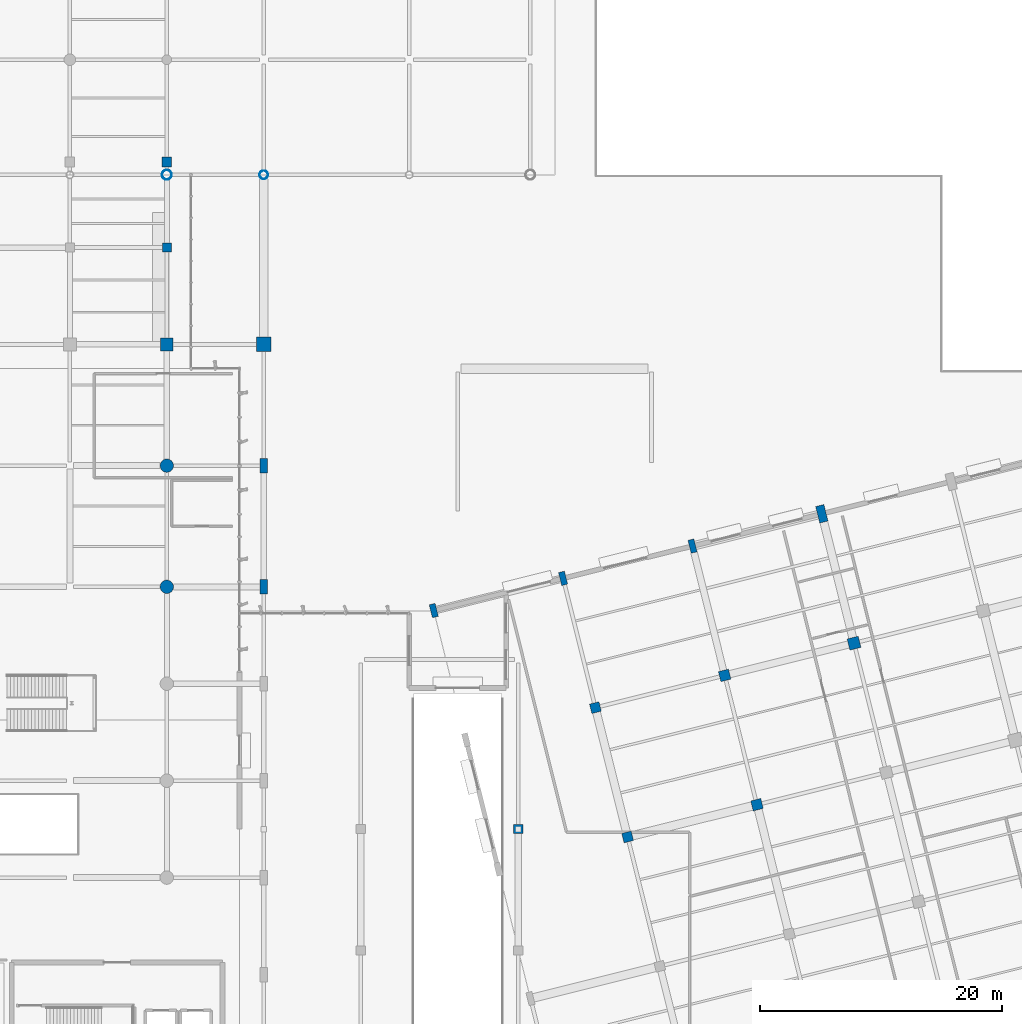
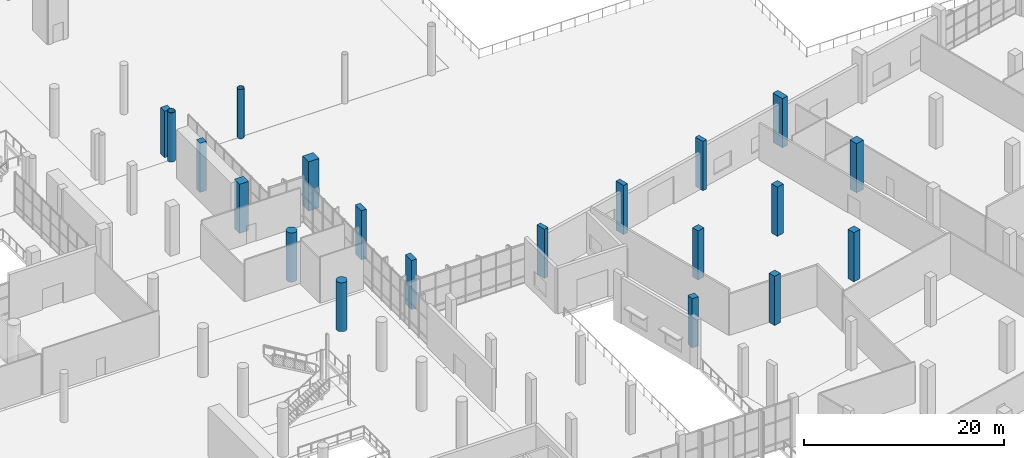
# One storey, part 19 of 163: 20 columns.
"""IFC4 building model written with IfcOpenShell, lengths in metres."""

from ifc_helpers import new_model, si_unit, direction, frame, origin, origin_2d, place, context, subcontext, project, spatial, rectangle, circle, hollow_circle, extrude, material, material_profile, profile_set, type_object, element, save


model = new_model("IFC4")

# Units and contexts
model_context = context("Model", 3, precision=1e-05, world=origin(), true_north=direction((0.0, 1.0)))
body_context = subcontext(model_context, "Body", "Model", "MODEL_VIEW")
ifc_project = project(units=[si_unit("LENGTHUNIT", "METRE"), si_unit("AREAUNIT", "SQUARE_METRE"), si_unit("VOLUMEUNIT", "CUBIC_METRE"), si_unit("PLANEANGLEUNIT", "RADIAN"), si_unit("MASSUNIT", "GRAM", prefix="KILO")], contexts=[model_context])

# Site, building, storey
site_placement = place(None, origin())
site = spatial("IfcSite", under=ifc_project, at=site_placement, CompositionType="ELEMENT")
building_placement = place(site_placement, origin())
building = spatial("IfcBuilding", under=site, at=building_placement, Name="Khorjan Park Terminus", CompositionType="ELEMENT")
storey_placement = place(building_placement, origin())
storey = spatial("IfcBuildingStorey", under=building, at=storey_placement, Name="L00", CompositionType="ELEMENT", Elevation=0.0)

# Columns
ifc_material_1 = material(Name="Concrete C50/60", Category="concrete")
ifc_material_profile_1 = material_profile(ifc_material_1, rectangle(XDim=0.5, YDim=1.1, at=origin_2d()), Name="RC 500x1100")
ifc_profile_set_1 = profile_set([ifc_material_profile_1], Name="Concrete C50/60")
column_type_1 = type_object("IfcColumnType", Name="COL-BL1100E", PredefinedType="COLUMN", material=ifc_profile_set_1)
for number, where, z_axis, x_axis, name in (
    (1, (150.033, 66.04, 0.0), (0.0, 0.0, 1.0), (0.970295726276, 0.2419218956, 0.0), "Structural column C-BL11 (L00 #684)"),
    (2, (160.706, 68.701, 0.0), (0.0, 0.0, 1.0), (0.970295726276, 0.2419218956, 0.0), "Structural column C-BL11 (L00 #717)"),
    (3, (171.38, 71.362, 0.0), (0.0, 0.0, 1.0), (0.970295726276, 0.2419218956, 0.0), "Structural column C-BL11 (L00 #746)"),
):
    element("IfcColumn", number, at=place(storey_placement, frame(where, z_axis=z_axis, x_axis=x_axis)), inside=storey, type_object=column_type_1, Name=name, PredefinedType="COLUMN", context=body_context, shape_type="SweptSolid", body=[
        extrude(rectangle(XDim=0.5, YDim=1.1, at=origin_2d()), origin(), (0.0, 0.0, 1.0), 6.0),
    ])
ifc_material_profile_2 = material_profile(ifc_material_1, rectangle(XDim=0.6, YDim=1.2, at=origin_2d()), Name="RC 600x1200")
ifc_profile_set_2 = profile_set([ifc_material_profile_2], Name="Concrete C50/60")
column_type_2 = type_object("IfcColumnType", Name="COL-BL1200", PredefinedType="COLUMN", material=ifc_profile_set_2)
for number, where, z_axis, x_axis, name in (
    (4, (136.0, 68.0, 0.0), (0.0, 0.0, 1.0), (1.0, 0.0, 0.0), "Structural column C-BL12 (L00 #492)"),
    (5, (136.0, 78.0, 0.0), (0.0, 0.0, 1.0), (1.0, 0.0, 0.0), "Structural column C-BL12 (L00 #497)"),
):
    element("IfcColumn", number, at=place(storey_placement, frame(where, z_axis=z_axis, x_axis=x_axis)), inside=storey, type_object=column_type_2, Name=name, PredefinedType="COLUMN", context=body_context, shape_type="SweptSolid", body=[
        extrude(rectangle(XDim=0.6, YDim=1.2, at=origin_2d()), origin(), (0.0, 0.0, 1.0), 6.0),
    ])
ifc_material_profile_3 = material_profile(ifc_material_1, rectangle(XDim=0.7, YDim=1.4, at=origin_2d()), Name="RC 700x1400")
ifc_profile_set_3 = profile_set([ifc_material_profile_3], Name="Concrete C50/60")
column_type_3 = type_object("IfcColumnType", Name="COL-BL1400E", PredefinedType="COLUMN", material=ifc_profile_set_3)
column_1_placement = place(storey_placement, frame((182.053, 74.023, 0.0), z_axis=(0.0, 0.0, 1.0), x_axis=(0.970295726276, 0.2419218956, 0.0)))
element("IfcColumn", 6, at=column_1_placement, inside=storey, type_object=column_type_3, Name="Structural column C-BL14 (L00 #786)", PredefinedType="COLUMN", context=body_context, shape_type="SweptSolid", body=[
    extrude(rectangle(XDim=0.7, YDim=1.4, at=origin_2d()), origin(), (0.0, 0.0, 1.0), 6.0),
])
ifc_material_profile_4 = material_profile(ifc_material_1, rectangle(XDim=1.05, YDim=1.05, at=origin_2d()), Name="RC 1050x1050")
ifc_profile_set_4 = profile_set([ifc_material_profile_4], Name="Concrete C50/60")
column_type_4 = type_object("IfcColumnType", Name="COL-RC1050", PredefinedType="COLUMN", material=ifc_profile_set_4)
column_2_placement = place(storey_placement, frame((128.0, 88.0, 0.0), z_axis=(0.0, 0.0, 1.0), x_axis=(1.0, 0.0, 0.0)))
element("IfcColumn", 7, at=column_2_placement, inside=storey, type_object=column_type_4, Name="Structural column C-RC105 (L00 #462)", PredefinedType="COLUMN", context=body_context, shape_type="SweptSolid", body=[
    extrude(rectangle(XDim=1.05, YDim=1.05, at=origin_2d()), origin(), (0.0, 0.0, 1.0), 6.0),
])
ifc_material_profile_5 = material_profile(ifc_material_1, rectangle(XDim=1.2, YDim=1.2, at=origin_2d()), Name="RC 1200x1200")
ifc_profile_set_5 = profile_set([ifc_material_profile_5], Name="Concrete C50/60")
column_type_5 = type_object("IfcColumnType", Name="COL-RC1200", PredefinedType="COLUMN", material=ifc_profile_set_5)
column_3_placement = place(storey_placement, frame((136.0, 88.0, 0.0), z_axis=(0.0, 0.0, 1.0), x_axis=(1.0, 0.0, 0.0)))
element("IfcColumn", 8, at=column_3_placement, inside=storey, type_object=column_type_5, Name="Structural column C-RC12 (L00 #502)", PredefinedType="COLUMN", context=body_context, shape_type="SweptSolid", body=[
    extrude(rectangle(XDim=1.2, YDim=1.2, at=origin_2d()), origin(), (0.0, 0.0, 1.0), 6.0),
])
ifc_material_2 = material(Name="Concrete C40/50", Category="concrete")
ifc_material_profile_6 = material_profile(ifc_material_2, rectangle(XDim=0.75, YDim=0.75, at=origin_2d()), Name="RC 750x750")
ifc_profile_set_6 = profile_set([ifc_material_profile_6], Name="Concrete C40/50")
column_type_6 = type_object("IfcColumnType", Name="COL-RC750", PredefinedType="COLUMN", material=ifc_profile_set_6)
for number, where, z_axis, x_axis, name in (
    (9, (128.0, 96.0, 0.0), (0.0, 0.0, 1.0), (1.0, 0.0, 0.0), "Structural column C-RC75 (L00 #527)"),
    (10, (157.0, 48.0, 0.0), (0.0, 0.0, 1.0), (1.0, 0.0, 0.0), "Structural column C-RC75 (L00 #946)"),
):
    element("IfcColumn", number, at=place(storey_placement, frame(where, z_axis=z_axis, x_axis=x_axis)), inside=storey, type_object=column_type_6, Name=name, PredefinedType="COLUMN", context=body_context, shape_type="SweptSolid", body=[
        extrude(rectangle(XDim=0.75, YDim=0.75, at=origin_2d()), origin(), (0.0, 0.0, 1.0), 6.0),
    ])
ifc_material_profile_7 = material_profile(ifc_material_2, rectangle(XDim=0.8, YDim=0.8, at=origin_2d()), Name="RC 800x800")
ifc_profile_set_7 = profile_set([ifc_material_profile_7], Name="Concrete C40/50")
column_type_7 = type_object("IfcColumnType", Name="COL-RC800", PredefinedType="COLUMN", material=ifc_profile_set_7)
column_4_placement = place(storey_placement, frame((128.0, 103.06, 0.0), z_axis=(0.0, 0.0, 1.0), x_axis=(1.0, 0.0, 0.0)))
element("IfcColumn", 11, at=column_4_placement, inside=storey, type_object=column_type_7, Name="Structural column C-RC08 (L00 #529)", PredefinedType="COLUMN", context=body_context, shape_type="SweptSolid", body=[
    extrude(rectangle(XDim=0.8, YDim=0.8, at=origin_2d()), origin(), (0.0, 0.0, 1.0), 5.64),
])
for number, where, z_axis, x_axis, name in (
    (12, (166.029, 47.354, 0.0), (0.0, 0.0, 1.0), (0.970295726276, 0.2419218956, 0.0), "Structural column C-RC08 (L00 #711)"),
    (13, (163.368, 58.027, 0.0), (0.0, 0.0, 1.0), (0.970295726276, 0.2419218956, 0.0), "Structural column C-RC08 (L00 #714)"),
):
    element("IfcColumn", number, at=place(storey_placement, frame(where, z_axis=z_axis, x_axis=x_axis)), inside=storey, type_object=column_type_7, Name=name, PredefinedType="COLUMN", context=body_context, shape_type="SweptSolid", body=[
        extrude(rectangle(XDim=0.8, YDim=0.8, at=origin_2d()), origin(), (0.0, 0.0, 1.0), 6.0),
    ])
ifc_material_profile_8 = material_profile(ifc_material_2, rectangle(XDim=0.85, YDim=0.85, at=origin_2d()), Name="RC 850x850")
ifc_profile_set_8 = profile_set([ifc_material_profile_8], Name="Concrete C40/50")
column_type_8 = type_object("IfcColumnType", Name="COL-RC850", PredefinedType="COLUMN", material=ifc_profile_set_8)
for number, where, z_axis, x_axis, name in (
    (14, (176.702, 50.015, 0.0), (0.0, 0.0, 1.0), (0.970295726276, 0.2419218956, 0.0), "Structural column C-RC85 (L00 #738)"),
    (15, (174.041, 60.688, 0.0), (0.0, 0.0, 1.0), (0.970295726276, 0.2419218956, 0.0), "Structural column C-RC85 (L00 #742)"),
):
    element("IfcColumn", number, at=place(storey_placement, frame(where, z_axis=z_axis, x_axis=x_axis)), inside=storey, type_object=column_type_8, Name=name, PredefinedType="COLUMN", context=body_context, shape_type="SweptSolid", body=[
        extrude(rectangle(XDim=0.85, YDim=0.85, at=origin_2d()), origin(), (0.0, 0.0, 1.0), 6.0),
    ])
ifc_material_profile_9 = material_profile(ifc_material_1, rectangle(XDim=0.95, YDim=0.95, at=origin_2d()), Name="RC 950x950")
ifc_profile_set_9 = profile_set([ifc_material_profile_9], Name="Concrete C50/60")
column_type_9 = type_object("IfcColumnType", Name="COL-RC950", PredefinedType="COLUMN", material=ifc_profile_set_9)
column_5_placement = place(storey_placement, frame((184.714, 63.35, 0.0), z_axis=(0.0, 0.0, 1.0), x_axis=(0.970295726276, 0.2419218956, 0.0)))
element("IfcColumn", 16, at=column_5_placement, inside=storey, type_object=column_type_9, Name="Structural column C-RC95 (L00 #781)", PredefinedType="COLUMN", context=body_context, shape_type="SweptSolid", body=[
    extrude(rectangle(XDim=0.95, YDim=0.95, at=origin_2d()), origin(), (0.0, 0.0, 1.0), 6.0),
])
ifc_material_profile_10 = material_profile(ifc_material_1, circle(Radius=0.55, at=origin_2d()), Name="RC D1100")
ifc_profile_set_10 = profile_set([ifc_material_profile_10], Name="Concrete C50/60")
column_type_10 = type_object("IfcColumnType", Name="COL-RD1100", PredefinedType="COLUMN", material=ifc_profile_set_10)
for number, where, z_axis, x_axis, name in (
    (17, (128.0, 68.0, 0.0), (0.0, 0.0, 1.0), (1.0, 0.0, 0.0), "Structural column C-RD11 (L00 #456)"),
    (18, (128.0, 78.0, 0.0), (0.0, 0.0, 1.0), (1.0, 0.0, 0.0), "Structural column C-RD11 (L00 #459)"),
):
    element("IfcColumn", number, at=place(storey_placement, frame(where, z_axis=z_axis, x_axis=x_axis)), inside=storey, type_object=column_type_10, Name=name, PredefinedType="COLUMN", context=body_context, shape_type="SweptSolid", body=[
        extrude(circle(Radius=0.55, at=origin_2d()), origin(), (0.0, 0.0, 1.0), 6.0),
    ])
ifc_material_3 = material(Name="Steel S355", Category="steel")
ifc_material_profile_11 = material_profile(ifc_material_3, hollow_circle(Radius=0.3555, WallThickness=0.025, at=origin_2d()), Name="CHS 711x25")
ifc_profile_set_11 = profile_set([ifc_material_profile_11], Name="Steel S355")
column_type_11 = type_object("IfcColumnType", Name="COL-SH711E", PredefinedType="COLUMN", material=ifc_profile_set_11)
column_6_placement = place(storey_placement, frame((136.0, 102.0, 0.0), z_axis=(0.0, 0.0, 1.0), x_axis=(1.0, 0.0, 0.0)))
element("IfcColumn", 19, at=column_6_placement, inside=storey, type_object=column_type_11, Name="Structural column SC-71 (L00 #195)", PredefinedType="COLUMN", context=body_context, shape_type="SweptSolid", body=[
    extrude(hollow_circle(Radius=0.3555, WallThickness=0.025, at=origin_2d()), origin(), (0.0, 0.0, 1.0), 6.0),
])
ifc_material_profile_12 = material_profile(ifc_material_3, hollow_circle(Radius=0.4065, WallThickness=0.025, at=origin_2d()), Name="CHS 813x25")
ifc_profile_set_12 = profile_set([ifc_material_profile_12], Name="Steel S355")
column_type_12 = type_object("IfcColumnType", Name="COL-SH813E", PredefinedType="COLUMN", material=ifc_profile_set_12)
column_7_placement = place(storey_placement, frame((128.0, 102.0, 0.0), z_axis=(0.0, 0.0, 1.0), x_axis=(1.0, 0.0, 0.0)))
element("IfcColumn", 20, at=column_7_placement, inside=storey, type_object=column_type_12, Name="Structural column SC-81 (L00 #186)", PredefinedType="COLUMN", context=body_context, shape_type="SweptSolid", body=[
    extrude(hollow_circle(Radius=0.4065, WallThickness=0.025, at=origin_2d()), origin(), (0.0, 0.0, 1.0), 6.0),
])

save(model, "model.ifc")
